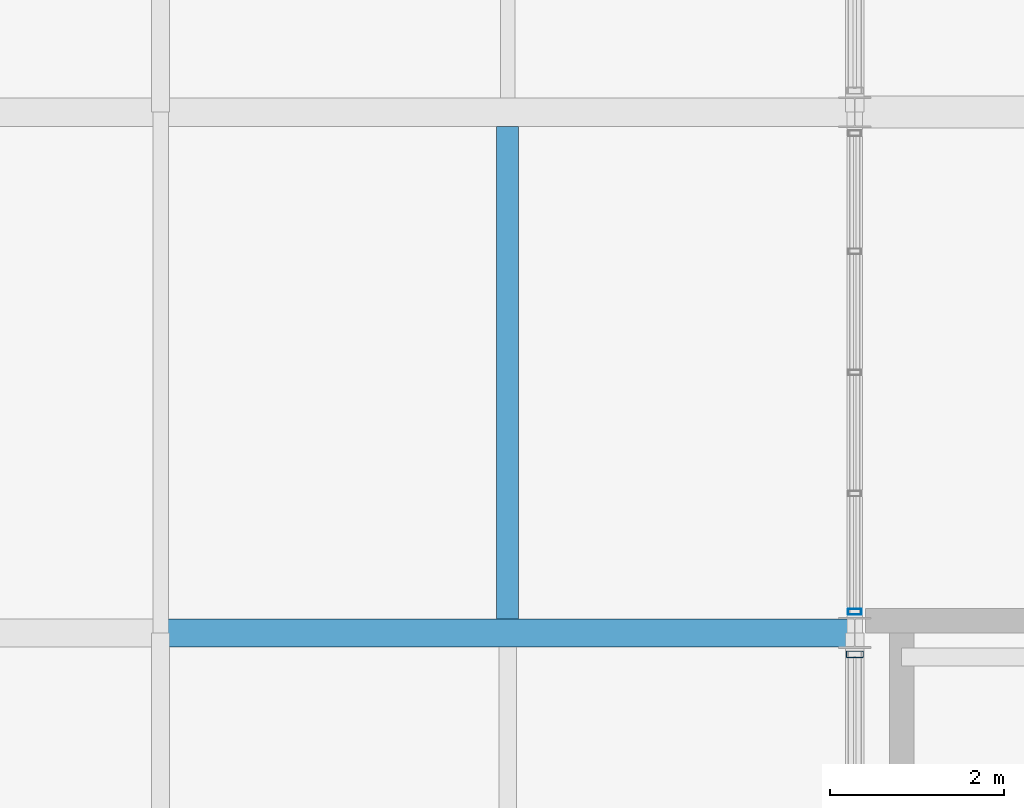
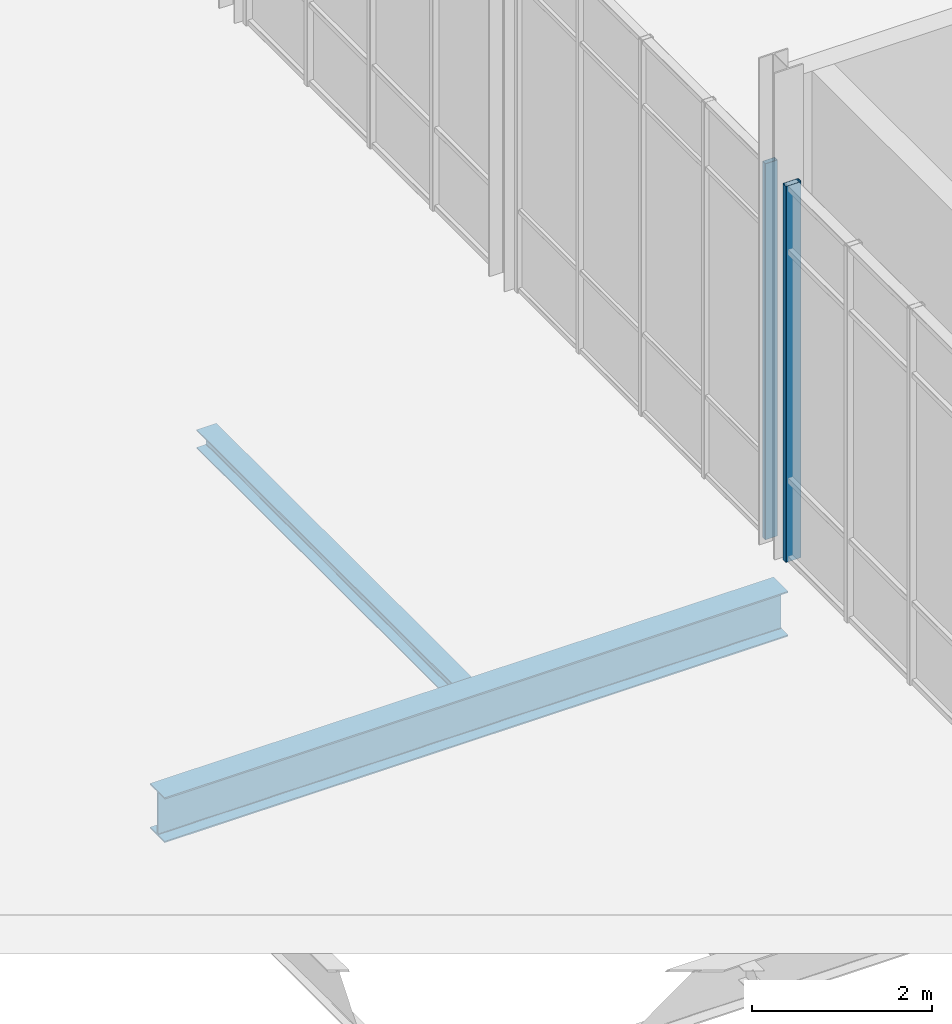
# One storey, part 79 of 140: 2 beams, 2 members, 2 elements without a shape of their own.
"""IFC4 building model written with IfcOpenShell, lengths in metres."""

import ifcopenshell
import ifcopenshell.guid

model = None  # the IFC model being written
_history = None  # IfcOwnerHistory: only IFC2X3 demands one
_inside = {}  # id of a spatial element -> (the spatial element, [elements in it])
_under = {}  # id of a project, library or spatial element -> (it, [spatial elements below it])
_declared = {}  # id of a project -> (the project, [libraries it declares])
_typed = {}  # id of a type object -> (the type object, [elements of that type])
_made_of = {}  # id of a material, layer set ... -> (it, [elements and type objects made of it])


def new_model(schema):
    """Start an empty IFC model of exactly this schema.

    Asked for "IFC4X3", IfcOpenShell would pick the latest addendum, in which some entities
    have other attributes; the version numbers below select the first issue.
    IFC2X3 requires an IfcOwnerHistory on every rooted entity: one is made here for all.
    """
    global model, _history
    if schema == "IFC4X3":
        model = ifcopenshell.file(schema_version=(4, 3, 0, 0))
    else:
        model = ifcopenshell.file(schema=schema)
    _inside.clear()
    _under.clear()
    _declared.clear()
    _typed.clear()
    _made_of.clear()
    _history = None
    if model.schema == "IFC2X3":
        org = make("IfcOrganization", Name="unknown")
        user = make(
            "IfcPersonAndOrganization",
            ThePerson=make("IfcPerson", FamilyName="unknown"),
            TheOrganization=org,
        )
        app = make(
            "IfcApplication",
            ApplicationDeveloper=org,
            Version="unknown",
            ApplicationFullName="unknown",
            ApplicationIdentifier="unknown",
        )
        _history = make(
            "IfcOwnerHistory",
            OwningUser=user,
            OwningApplication=app,
            ChangeAction="ADDED",
            CreationDate=0,
        )
    return model


def make(cls, **values):
    """One entity of the class cls with the attributes given. An attribute that is None is left unset."""
    return model.create_entity(
        cls, **{name: value for name, value in values.items() if value is not None}
    )


def rooted(cls, **values):
    """An entity with a GlobalId (a new one), such as an element, a storey or a relation."""
    return make(cls, GlobalId=ifcopenshell.guid.new(), OwnerHistory=_history, **values)


def si_unit(unit_type, name, prefix=None):
    """IfcSIUnit, for example si_unit("LENGTHUNIT", "METRE", prefix="MILLI")."""
    return make("IfcSIUnit", UnitType=unit_type, Prefix=prefix, Name=name)


def assignment(units):
    """IfcUnitAssignment: the units of a project."""
    return None if units is None else make("IfcUnitAssignment", Units=units)


def point(xyz):
    """IfcCartesianPoint."""
    return None if xyz is None else make("IfcCartesianPoint", Coordinates=xyz)


def direction(xyz):
    """IfcDirection."""
    return None if xyz is None else make("IfcDirection", DirectionRatios=xyz)


def frame(location, z_axis=None, x_axis=None):
    """IfcAxis2Placement3D, a coordinate frame: its origin and axes. An axis left out is left unset."""
    return make(
        "IfcAxis2Placement3D",
        Location=point(location),
        Axis=direction(z_axis),
        RefDirection=direction(x_axis),
    )


def frame_2d(location, x_axis=None):
    """IfcAxis2Placement2D, a coordinate frame in the plane: its origin and x axis."""
    return make(
        "IfcAxis2Placement2D", Location=point(location), RefDirection=direction(x_axis)
    )


def origin():
    """The frame at (0, 0, 0) with its axes left unset."""
    return frame((0.0, 0.0, 0.0))


def origin_2d():
    """The frame at (0, 0) in the plane with its x axis left unset."""
    return frame_2d((0.0, 0.0))


def place(relative_to, where):
    """IfcLocalPlacement: puts the frame where relative to a parent placement (None: the world)."""
    return make(
        "IfcLocalPlacement", PlacementRelTo=relative_to, RelativePlacement=where
    )


def context(
    kind, dimensions, precision=None, world=None, true_north=None, identifier=None
):
    """IfcGeometricRepresentationContext, for example the 3D "Model" context."""
    return make(
        "IfcGeometricRepresentationContext",
        ContextIdentifier=identifier,
        ContextType=kind,
        CoordinateSpaceDimension=dimensions,
        Precision=precision,
        WorldCoordinateSystem=world,
        TrueNorth=true_north,
    )


def subcontext(parent, identifier, kind, view, scale=None):
    """IfcGeometricRepresentationSubContext, for example "Body" below "Model"."""
    return make(
        "IfcGeometricRepresentationSubContext",
        ContextIdentifier=identifier,
        ContextType=kind,
        ParentContext=parent,
        TargetScale=scale,
        TargetView=view,
    )


def project(units=None, contexts=None):
    """IfcProject with its units and contexts."""
    return rooted(
        "IfcProject",
        Name="project",
        RepresentationContexts=contexts,
        UnitsInContext=assignment(units),
    )


def spatial(cls, under=None, at=None, **own):
    """A site, building, storey or space (cls), placed at a placement, below another one or the project."""
    s = rooted(cls, ObjectPlacement=at, **own)
    if under is not None:
        _under.setdefault(under.id(), (under, []))[1].append(s)
    return s


def profile(cls, at=None, kind="AREA", **sizes):
    """A parametric profile (cls). Its sizes go by their IFC names, for example OverallWidth=200.0."""
    return make(cls, ProfileType=kind, Position=at, **sizes)


def hollow_rectangle(**sizes):
    """IfcRectangleHollowProfileDef."""
    return profile("IfcRectangleHollowProfileDef", **sizes)


def i_section(**sizes):
    """IfcIShapeProfileDef."""
    return profile("IfcIShapeProfileDef", **sizes)


def extrude(swept, where, along, depth):
    """IfcExtrudedAreaSolid: the profile swept, set in the frame where, extruded along a direction by depth."""
    return make(
        "IfcExtrudedAreaSolid",
        SweptArea=swept,
        Position=where,
        ExtrudedDirection=direction(along),
        Depth=depth,
    )


def shape(context_of_items, identifier, shape_type, items):
    """IfcShapeRepresentation: the items that make up one representation, for example the "Body"."""
    return make(
        "IfcShapeRepresentation",
        ContextOfItems=context_of_items,
        RepresentationIdentifier=identifier,
        RepresentationType=shape_type,
        Items=items,
    )


def material(Name=None, Category=None):
    """IfcMaterial."""
    return make("IfcMaterial", Name=Name, Category=Category)


def material_profile(
    of_material, cross_section, Name=None, Category=None, Priority=None
):
    """IfcMaterialProfile: a cross section and its material."""
    return make(
        "IfcMaterialProfile",
        Name=Name,
        Material=of_material,
        Profile=cross_section,
        Priority=Priority,
        Category=Category,
    )


def profile_set(profiles, Name=None, composite=None):
    """IfcMaterialProfileSet."""
    return make(
        "IfcMaterialProfileSet",
        Name=Name,
        MaterialProfiles=profiles,
        CompositeProfile=composite,
    )


def made_of(thing, what):
    """Note that an element or type object is made of a material, layer set ...; save() writes the relation."""
    if what is not None:
        _made_of.setdefault(what.id(), (what, []))[1].append(thing)
    return thing


def type_object(cls, material=None, **own):
    """A type object (cls), such as IfcWallType, which elements share."""
    return made_of(rooted(cls, **own), material)


def element(
    cls,
    number,
    at=None,
    inside=None,
    cuts=None,
    type_object=None,
    material=None,
    context=None,
    identifier="Body",
    shape_type=None,
    held_by="IfcProductDefinitionShape",
    body=None,
    shapes=None,
    **own,
):
    """One element of the class cls, such as IfcWall. Its Tag is "e" and its number.

    at: its placement. inside: the storey or other place that contains it. cuts: it is an
    opening in that element (IfcRelVoidsElement). A single representation is given by context,
    identifier, shape_type and body (its items); several are given by shapes. held_by: the class
    of the entity that holds the representations. save() writes the other relations.
    """
    e = rooted(cls, Tag="e%d" % number, ObjectPlacement=at, **own)
    if body is not None:
        shapes = [shape(context, identifier, shape_type, body)]
    if shapes is not None:
        e.Representation = make(held_by, Representations=shapes)
    if inside is not None:
        _inside.setdefault(inside.id(), (inside, []))[1].append(e)
    if cuts is not None:
        rooted(
            "IfcRelVoidsElement", RelatingBuildingElement=cuts, RelatedOpeningElement=e
        )
    if type_object is not None:
        _typed.setdefault(type_object.id(), (type_object, []))[1].append(e)
    return made_of(e, material)


def aggregate(whole, parts):
    """IfcRelAggregates: a whole, such as a stair, and the parts it consists of."""
    return rooted("IfcRelAggregates", RelatingObject=whole, RelatedObjects=parts)


def save(model, path):
    """Write the relations noted so far, then the file.

    IfcRelAggregates (storeys below a building ...), IfcRelContainedInSpatialStructure (elements
    in a storey), IfcRelDefinesByType, IfcRelAssociatesMaterial and IfcRelDeclares: one each for
    every whole, place, type object, material and project.
    """
    for whole, parts in _under.values():
        aggregate(whole, parts)
    for where, things in _inside.values():
        rooted(
            "IfcRelContainedInSpatialStructure",
            RelatedElements=things,
            RelatingStructure=where,
        )
    for kind, things in _typed.values():
        rooted("IfcRelDefinesByType", RelatedObjects=things, RelatingType=kind)
    for what, things in _made_of.values():
        rooted("IfcRelAssociatesMaterial", RelatedObjects=things, RelatingMaterial=what)
    for by, libraries in _declared.values():
        rooted("IfcRelDeclares", RelatingContext=by, RelatedDefinitions=libraries)
    model.write(path)


model = new_model("IFC4")

# Units and contexts
model_context = context("Model", 3, precision=1e-05, world=origin(), true_north=direction((0.0, 1.0)))
body_context = subcontext(model_context, "Body", "Model", "MODEL_VIEW")
ifc_project = project(units=[si_unit("LENGTHUNIT", "METRE"), si_unit("AREAUNIT", "SQUARE_METRE"), si_unit("VOLUMEUNIT", "CUBIC_METRE"), si_unit("PLANEANGLEUNIT", "RADIAN"), si_unit("MASSUNIT", "GRAM", prefix="KILO")], contexts=[model_context])

# Site, building, storey
site_placement = place(None, origin())
site = spatial("IfcSite", under=ifc_project, at=site_placement, CompositionType="ELEMENT")
building_placement = place(site_placement, origin())
building = spatial("IfcBuilding", under=site, at=building_placement, Name="Verrall Gate Interchange", CompositionType="ELEMENT")
storey_placement = place(building_placement, origin())
storey = spatial("IfcBuildingStorey", under=building, at=storey_placement, Name="L01", CompositionType="ELEMENT", Elevation=0.0)

# Beam
ifc_material_1 = material(Name="Structural Steel CSA G40.21 350WT Cat 4", Category="steel")
ifc_material_profile_1 = material_profile(ifc_material_1, i_section(OverallWidth=0.323974609375, OverallDepth=0.611083984375, WebThickness=0.0126953125, FlangeThickness=0.01904296875, FilletRadius=0.014892578125, at=origin_2d()), Name="W610x155")
ifc_profile_set_1 = profile_set([ifc_material_profile_1], Name="Structural Steel CSA G40.21 350WT Cat 4")
beam_type_1 = type_object("IfcBeamType", Name="B-08 Structural Beam W610x155", PredefinedType="BEAM", material=ifc_profile_set_1)
beam_1_placement = place(storey_placement, frame((124.0, 28.0, -0.805419921875), z_axis=(1.0, 0.0, 0.0), x_axis=(0.0, 1.0, 0.0)))
element("IfcBeam", 1, at=beam_1_placement, inside=storey, type_object=beam_type_1, Name="L01 Girder BM-L01-0841 (B-08)", PredefinedType="BEAM", context=body_context, shape_type="SweptSolid", body=[
    extrude(i_section(OverallWidth=0.323974609375, OverallDepth=0.611083984375, WebThickness=0.0126953125, FlangeThickness=0.01904296875, FilletRadius=0.014892578125, at=origin_2d()), origin(), (0.0, 0.0, 1.0), 8.0),
])

# Curtain wall, member
ifc_material_2 = material(Name="Thermally Broken Anodized Aluminium Curtain Wall Framing", Category="aluminium")
curtain_wall_type = type_object("IfcCurtainWallType", Name="CW-04 Unitized Curtain Wall 5631x5100", PredefinedType="NOTDEFINED", material=ifc_material_2)
curtain_wall_1_placement = place(storey_placement, origin())
curtain_wall_1 = element("IfcCurtainWall", 2, at=curtain_wall_1_placement, inside=storey, type_object=curtain_wall_type, Name="L01 Unitized Curtain Wall CW-L01-048", PredefinedType="NOTDEFINED")
ifc_material_3 = material(Name="Thermally Broken Anodized Aluminium Curtain Wall Framing", Category="aluminium")
ifc_material_profile_2 = material_profile(ifc_material_3, hollow_rectangle(XDim=0.06494140625, YDim=0.159912109375, WallThickness=0.00390625, InnerFilletRadius=0.00390625, OuterFilletRadius=0.008056640625, at=origin_2d()), Name="CWM160x65x4")
ifc_profile_set_2 = profile_set([ifc_material_profile_2], Name="Thermally Broken Anodized Aluminium Curtain Wall Framing")
member_type_1 = type_object("IfcMemberType", Name="CM-01 Curtain Mullion CWM160x65x4", PredefinedType="MULLION", material=ifc_profile_set_2)
member_1_placement = place(storey_placement, frame((132.0, 28.242431640625, 0.0), z_axis=(0.0, 0.0, 1.0), x_axis=(0.0, -1.0, 0.0)))
member_1 = element("IfcMember", 3, at=member_1_placement, type_object=member_type_1, Name="CW-L01-048 Mullion 5", PredefinedType="MULLION", context=body_context, shape_type="SweptSolid", body=[
    extrude(hollow_rectangle(XDim=0.06494140625, YDim=0.159912109375, WallThickness=0.00390625, InnerFilletRadius=0.00390625, OuterFilletRadius=0.008056640625, at=origin_2d()), origin(), (0.0, 0.0, 1.0), 5.10009765625),
])
aggregate(curtain_wall_1, [member_1])

curtain_wall_2_placement = place(storey_placement, origin())
curtain_wall_2 = element("IfcCurtainWall", 4, at=curtain_wall_2_placement, inside=storey, type_object=curtain_wall_type, Name="L01 Unitized Curtain Wall CW-L01-049", PredefinedType="NOTDEFINED")
ifc_material_4 = material(Name="Thermally Broken Anodized Aluminium Curtain Wall Framing", Category="aluminium")
ifc_material_profile_3 = material_profile(ifc_material_4, hollow_rectangle(XDim=0.074951171875, YDim=0.199951171875, WallThickness=0.0048828125, InnerFilletRadius=0.0048828125, OuterFilletRadius=0.010009765625, at=origin_2d()), Name="CWM200x75x5")
ifc_profile_set_3 = profile_set([ifc_material_profile_3], Name="Thermally Broken Anodized Aluminium Curtain Wall Framing")
member_type_2 = type_object("IfcMemberType", Name="CM-02 Curtain Mullion CWM200x75x5", PredefinedType="MULLION", material=ifc_profile_set_3)
member_2_placement = place(storey_placement, frame((132.0, 27.75244140625, 0.0), z_axis=(0.0, 0.0, 1.0), x_axis=(0.0, -1.0, 0.0)))
member_2 = element("IfcMember", 5, at=member_2_placement, type_object=member_type_2, Name="CW-L01-049 Mullion 1", PredefinedType="MULLION", context=body_context, shape_type="SweptSolid", body=[
    extrude(hollow_rectangle(XDim=0.074951171875, YDim=0.199951171875, WallThickness=0.0048828125, InnerFilletRadius=0.0048828125, OuterFilletRadius=0.010009765625, at=origin_2d()), origin(), (0.0, 0.0, 1.0), 5.10009765625),
])
aggregate(curtain_wall_2, [member_2])

# Beam
ifc_material_5 = material(Name="Structural Steel CSA G40.21 350W", Category="steel")
ifc_material_profile_4 = material_profile(ifc_material_5, i_section(OverallWidth=0.25390625, OverallDepth=0.2529296875, WebThickness=0.008544921875, FlangeThickness=0.01416015625, FilletRadius=0.011962890625, at=origin_2d()), Name="W250x73")
ifc_profile_set_4 = profile_set([ifc_material_profile_4], Name="Structural Steel CSA G40.21 350W")
beam_type_2 = type_object("IfcBeamType", Name="J-05 Floor Joist W250x73", PredefinedType="JOIST", material=ifc_profile_set_4)
beam_2_placement = place(storey_placement, frame((128.0, 28.162109375, -0.62646484375), z_axis=(0.0, 1.0, 0.0), x_axis=(-1.0, 0.0, 0.0)))
element("IfcBeam", 6, at=beam_2_placement, inside=storey, type_object=beam_type_2, Name="L01 Secondary Floor Joist JST-L01-1340", PredefinedType="JOIST", context=body_context, shape_type="SweptSolid", body=[
    extrude(i_section(OverallWidth=0.25390625, OverallDepth=0.2529296875, WebThickness=0.008544921875, FlangeThickness=0.01416015625, FilletRadius=0.011962890625, at=origin_2d()), origin(), (0.0, 0.0, 1.0), 5.67578125),
])

save(model, "model.ifc")
